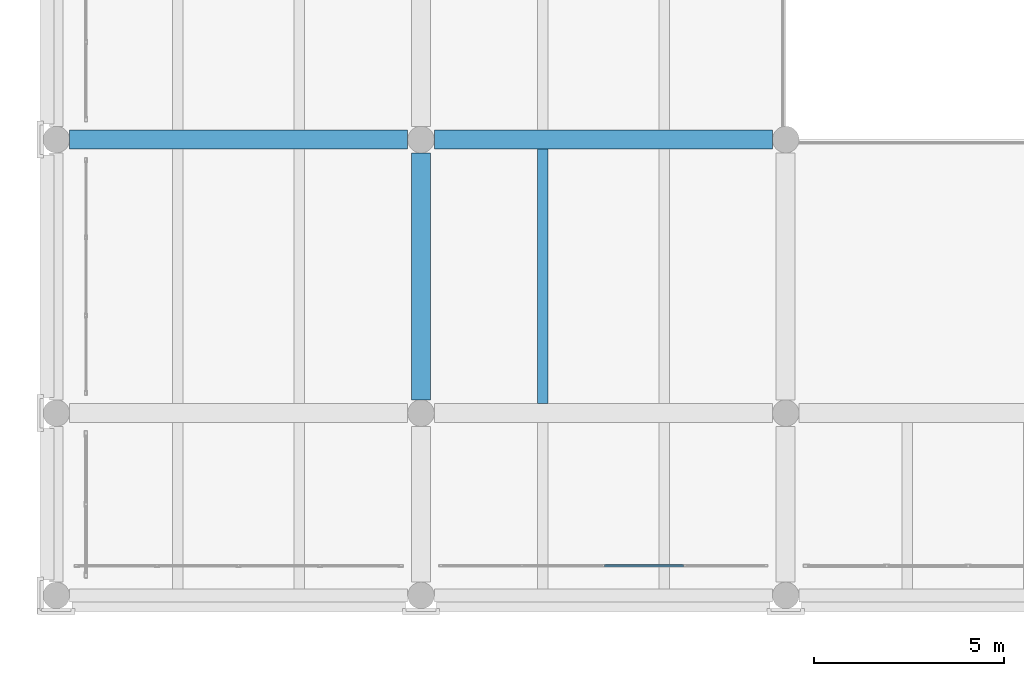
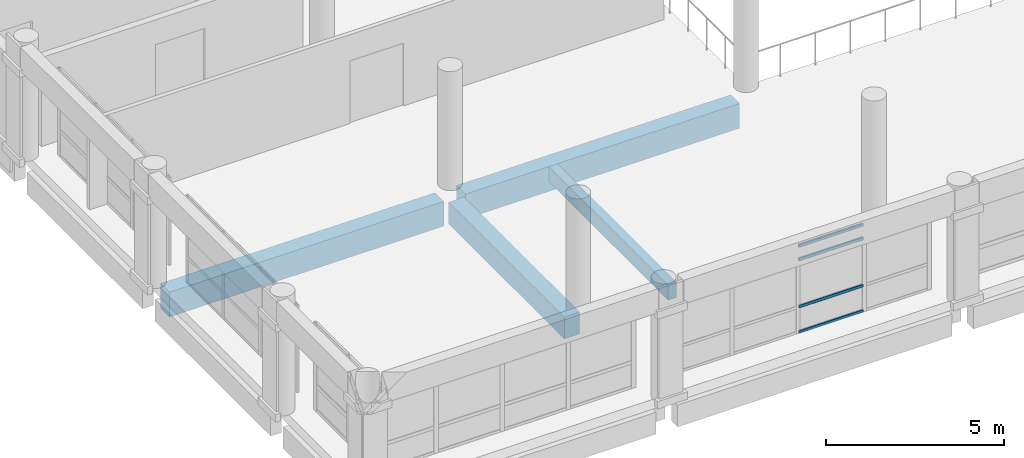
# One storey, part 12 of 180: 4 beams, 4 members, 1 element without a shape of its own.
"""IFC4 building model written with IfcOpenShell, lengths in metres."""

from ifc_helpers import new_model, si_unit, direction, frame, origin, origin_2d, place, context, subcontext, project, spatial, rectangle, hollow_rectangle, extrude, material, layer, layer_set, material_profile, profile_set, type_object, element, aggregate, save


model = new_model("IFC4")

# Units and contexts
model_context = context("Model", 3, precision=1e-05, world=origin(), true_north=direction((0.0, 1.0)))
body_context = subcontext(model_context, "Body", "Model", "MODEL_VIEW")
ifc_project = project(units=[si_unit("LENGTHUNIT", "METRE"), si_unit("AREAUNIT", "SQUARE_METRE"), si_unit("VOLUMEUNIT", "CUBIC_METRE"), si_unit("PLANEANGLEUNIT", "RADIAN"), si_unit("MASSUNIT", "GRAM", prefix="KILO")], contexts=[model_context])

# Site, building, storey
site_placement = place(None, origin())
site = spatial("IfcSite", under=ifc_project, at=site_placement, CompositionType="ELEMENT")
building_placement = place(site_placement, origin())
building = spatial("IfcBuilding", under=site, at=building_placement, Name="Asteropetra Specialist Clinic", CompositionType="ELEMENT")
storey_placement = place(building_placement, frame((0.0, 0.0, 4.419921875)))
storey = spatial("IfcBuildingStorey", under=building, at=storey_placement, Name="L01", CompositionType="ELEMENT", Elevation=4.419921875)

# Beams
ifc_material_1 = material(Name="Concrete C35/45", Category="concrete")
ifc_material_profile_1 = material_profile(ifc_material_1, rectangle(XDim=0.5, YDim=0.75, at=origin_2d()), Name="RCB 500x750")
ifc_profile_set_1 = profile_set([ifc_material_profile_1], Name="Concrete C35/45")
beam_type_1 = type_object("IfcBeamType", Name="BM-RC500x750", PredefinedType="BEAM", material=ifc_profile_set_1)
beam_1_placement = place(storey_placement, frame((9.60009765625, 5.14990234375, -0.71484375), z_axis=(0.0, 1.0, 0.0), x_axis=(-1.0, 0.0, 0.0)))
element("IfcBeam", 1, at=beam_1_placement, inside=storey, type_object=beam_type_1, Name="Beam BBM04-0272", PredefinedType="BEAM", context=body_context, shape_type="SweptSolid", body=[
    extrude(rectangle(XDim=0.5, YDim=0.75, at=origin_2d()), origin(), (0.0, 0.0, 1.0), 6.5),
])
ifc_material_2 = material(Name="Concrete C35/45", Category="concrete")
ifc_material_profile_2 = material_profile(ifc_material_2, rectangle(XDim=0.5, YDim=0.85009765625, at=origin_2d()), Name="RCB 500x850")
ifc_profile_set_2 = profile_set([ifc_material_profile_2], Name="Concrete C35/45")
beam_type_2 = type_object("IfcBeamType", Name="BM-RC500x850", PredefinedType="BEAM", material=ifc_profile_set_2)
beam_2_placement = place(storey_placement, frame((0.35009765625, 12.0, -0.764892578125), z_axis=(1.0, 0.0, 0.0), x_axis=(0.0, 1.0, 0.0)))
element("IfcBeam", 2, at=beam_2_placement, inside=storey, type_object=beam_type_2, Name="Beam BBM03-0238", PredefinedType="BEAM", context=body_context, shape_type="SweptSolid", body=[
    extrude(rectangle(XDim=0.5, YDim=0.85009765625, at=origin_2d()), origin(), (0.0, 0.0, 1.0), 8.89990234375),
])
beam_3_placement = place(storey_placement, frame((9.949951171875, 12.0, -0.764892578125), z_axis=(1.0, 0.0, 0.0), x_axis=(0.0, 1.0, 0.0)))
element("IfcBeam", 3, at=beam_3_placement, inside=storey, type_object=beam_type_2, Name="Beam BBM03-0239", PredefinedType="BEAM", context=body_context, shape_type="SweptSolid", body=[
    extrude(rectangle(XDim=0.5, YDim=0.85009765625, at=origin_2d()), origin(), (0.0, 0.0, 1.0), 8.900146484375),
])

# Curtain wall, members
ifc_material_3 = material(Name="Aluminium and low-E glass", Category="aluminium")
ifc_layer = layer(ifc_material_3, 0.179931640625)
ifc_layer_set = layer_set([ifc_layer], Name="Aluminium and low-E glass")
curtain_wall_type = type_object("IfcCurtainWallType", Name="CW-SYS-10", PredefinedType="USERDEFINED", material=ifc_layer_set)
curtain_wall_placement = place(storey_placement, origin())
curtain_wall = element("IfcCurtainWall", 4, at=curtain_wall_placement, inside=storey, type_object=curtain_wall_type, Name="Curtain Wall CW-134", ObjectType="STICK GLAZED COLONNADE", PredefinedType="USERDEFINED")
ifc_material_4 = material(Name="Aluminium 6063-T6", Category="aluminium")
ifc_material_profile_3 = material_profile(ifc_material_4, hollow_rectangle(XDim=0.06005859375, YDim=0.10009765625, WallThickness=0.00341796875, InnerFilletRadius=0.00341796875, OuterFilletRadius=0.007080078125, at=origin_2d()), Name="TRN 100x60x3.5")
ifc_profile_set_3 = profile_set([ifc_material_profile_3], Name="Aluminium 6063-T6")
member_type = type_object("IfcMemberType", Name="CWT-100x60", PredefinedType="USERDEFINED", material=ifc_profile_set_3)
member_1_placement = place(storey_placement, frame((14.429931640625, 0.780029296875, 0.030029296875), z_axis=(1.0, 0.0, 0.0), x_axis=(0.0, 1.0, 0.0)))
member_1 = element("IfcMember", 5, at=member_1_placement, type_object=member_type, Name="CW-134 transom 3.1", ObjectType="TRANSOM", PredefinedType="USERDEFINED", context=body_context, shape_type="SweptSolid", body=[
    extrude(hollow_rectangle(XDim=0.06005859375, YDim=0.10009765625, WallThickness=0.00341796875, InnerFilletRadius=0.00341796875, OuterFilletRadius=0.007080078125, at=origin_2d()), origin(), (0.0, 0.0, 1.0), 2.0849609375),
])
member_2_placement = place(storey_placement, frame((14.429931640625, 0.780029296875, 0.900146484375), z_axis=(1.0, 0.0, 0.0), x_axis=(0.0, 1.0, 0.0)))
member_2 = element("IfcMember", 6, at=member_2_placement, type_object=member_type, Name="CW-134 transom 3.2", ObjectType="TRANSOM", PredefinedType="USERDEFINED", context=body_context, shape_type="SweptSolid", body=[
    extrude(hollow_rectangle(XDim=0.06005859375, YDim=0.10009765625, WallThickness=0.00341796875, InnerFilletRadius=0.00341796875, OuterFilletRadius=0.007080078125, at=origin_2d()), origin(), (0.0, 0.0, 1.0), 2.0849609375),
])
member_3_placement = place(storey_placement, frame((14.429931640625, 0.780029296875, 2.510009765625), z_axis=(1.0, 0.0, 0.0), x_axis=(0.0, 1.0, 0.0)))
member_3 = element("IfcMember", 7, at=member_3_placement, type_object=member_type, Name="CW-134 transom 3.3", ObjectType="TRANSOM", PredefinedType="USERDEFINED", context=body_context, shape_type="SweptSolid", body=[
    extrude(hollow_rectangle(XDim=0.06005859375, YDim=0.10009765625, WallThickness=0.00341796875, InnerFilletRadius=0.00341796875, OuterFilletRadius=0.007080078125, at=origin_2d()), origin(), (0.0, 0.0, 1.0), 2.0849609375),
])
member_4_placement = place(storey_placement, frame((14.429931640625, 0.780029296875, 2.97998046875), z_axis=(1.0, 0.0, 0.0), x_axis=(0.0, 1.0, 0.0)))
member_4 = element("IfcMember", 8, at=member_4_placement, type_object=member_type, Name="CW-134 transom 3.4", ObjectType="TRANSOM", PredefinedType="USERDEFINED", context=body_context, shape_type="SweptSolid", body=[
    extrude(hollow_rectangle(XDim=0.06005859375, YDim=0.10009765625, WallThickness=0.00341796875, InnerFilletRadius=0.00341796875, OuterFilletRadius=0.007080078125, at=origin_2d()), origin(), (0.0, 0.0, 1.0), 2.0849609375),
])
aggregate(curtain_wall, [member_1, member_2, member_3, member_4])

# Beam
ifc_material_5 = material(Name="Concrete C35/45", Category="concrete")
ifc_material_profile_4 = material_profile(ifc_material_5, rectangle(XDim=0.280029296875, YDim=0.52001953125, at=origin_2d()), Name="RCJ 280x520")
ifc_profile_set_4 = profile_set([ifc_material_profile_4], Name="Concrete C35/45")
beam_type_3 = type_object("IfcBeamType", Name="JST-RC280x520", PredefinedType="JOIST", material=ifc_profile_set_4)
beam_4_placement = place(storey_placement, frame((12.800048828125, 5.050048828125, -0.599853515625), z_axis=(0.0, 1.0, 0.0), x_axis=(-1.0, 0.0, 0.0)))
element("IfcBeam", 9, at=beam_4_placement, inside=storey, type_object=beam_type_3, Name="Joist JJST01-0280", PredefinedType="JOIST", context=body_context, shape_type="SweptSolid", body=[
    extrude(rectangle(XDim=0.280029296875, YDim=0.52001953125, at=origin_2d()), origin(), (0.0, 0.0, 1.0), 6.699951171875),
])

save(model, "model.ifc")
